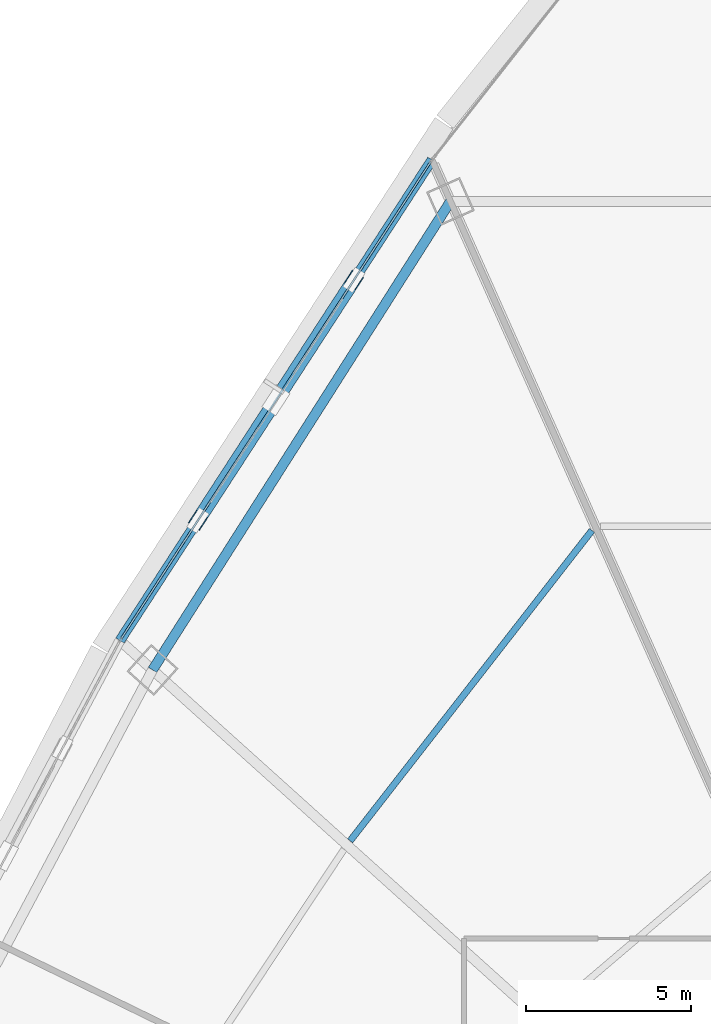
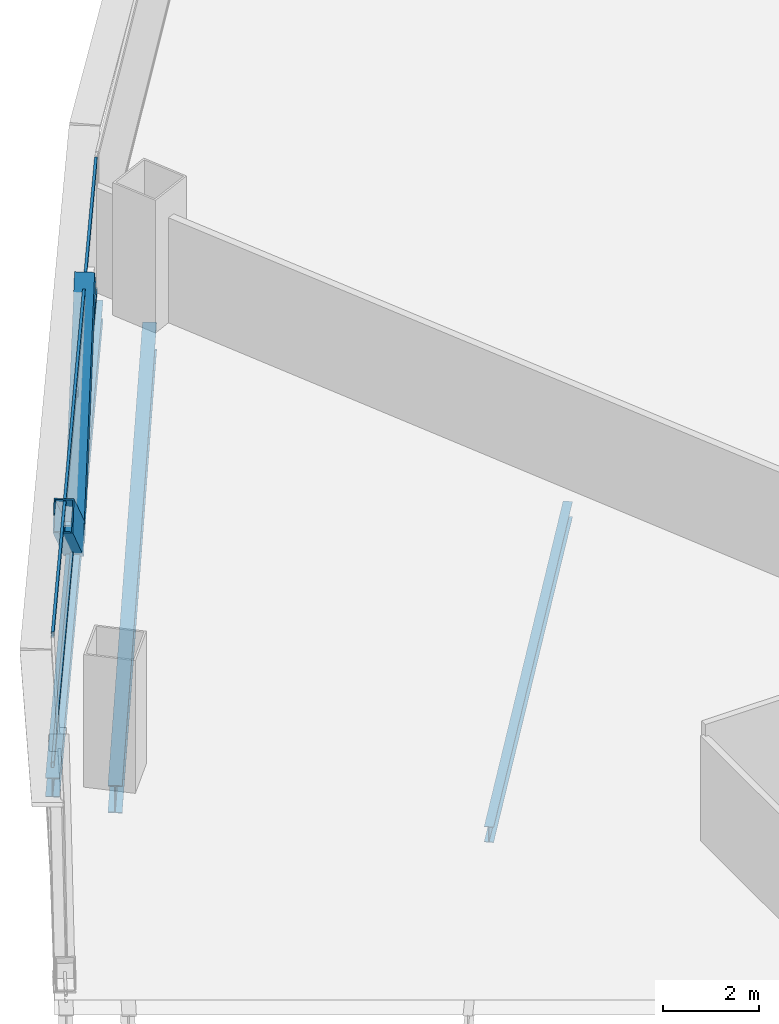
# One storey, part 17 of 37: 4 members, 3 beams, 1 element without a shape of its own.
"""IFC4 building model written with IfcOpenShell, lengths in metres."""

from ifc_helpers import new_model, si_unit, direction, frame, origin, origin_2d, place, context, subcontext, project, spatial, hollow_rectangle, i_section, extrude, source, transform, mapped, material, layer, layer_set, material_profile, profile_set, type_object, element, aggregate, save


model = new_model("IFC4")

# Units and contexts
model_context = context("Model", 3, precision=1e-05, world=origin(), true_north=direction((0.0, 1.0)))
body_context = subcontext(model_context, "Body", "Model", "MODEL_VIEW")
ifc_project = project(units=[si_unit("LENGTHUNIT", "METRE"), si_unit("AREAUNIT", "SQUARE_METRE"), si_unit("VOLUMEUNIT", "CUBIC_METRE"), si_unit("PLANEANGLEUNIT", "RADIAN"), si_unit("MASSUNIT", "GRAM", prefix="KILO"), si_unit("THERMODYNAMICTEMPERATUREUNIT", "KELVIN"), si_unit("POWERUNIT", "WATT")], contexts=[model_context])

# Site, building, storey
site_placement = place(None, origin())
site = spatial("IfcSite", under=ifc_project, at=site_placement, CompositionType="ELEMENT")
building_placement = place(site_placement, origin())
building = spatial("IfcBuilding", under=site, at=building_placement, Name="Yunzhuo Pagoda Commons", CompositionType="ELEMENT")
storey_placement = place(building_placement, frame((0.0, 0.0, 55.81005859375)))
storey = spatial("IfcBuildingStorey", under=building, at=storey_placement, Name="L14", CompositionType="ELEMENT", Elevation=55.81005859375)

# Beams
ifc_material_1 = material(Name="Structural steel Q355B", Category="steel")
ifc_material_profile_1 = material_profile(ifc_material_1, i_section(OverallWidth=0.300048828125, OverallDepth=0.699951171875, WebThickness=0.012939453125, FlangeThickness=0.02392578125, at=origin_2d()), Name="Structural steel Q355B")
ifc_profile_set_1 = profile_set([ifc_material_profile_1], Name="Structural steel Q355B")
beam_type_1 = type_object("IfcBeamType", Name="B-RG1 Beam HN 700x300x13x24", PredefinedType="BEAM", material=ifc_profile_set_1)
shared_shape_1 = source(origin(), body_context, "Body", "SweptSolid", [
    extrude(i_section(OverallWidth=0.300048828125, OverallDepth=0.699951171875, WebThickness=0.012939453125, FlangeThickness=0.02392578125, at=origin_2d()), origin(), (0.0, 0.0, 1.0), 16.843994140625),
])
beam_1_placement = place(storey_placement, frame((31.38916015625, 71.008544921875, -0.610107421875), z_axis=(-0.536558458992, -0.843863152462, 0.0), x_axis=(0.843863152462, -0.536558458992, 0.0)))
element("IfcBeam", 1, at=beam_1_placement, inside=storey, type_object=beam_type_1, Name="L14 column-ring beam 9", PredefinedType="BEAM", context=body_context, shape_type="MappedRepresentation", body=[
    mapped(shared_shape_1, transform((0.0, 0.0, 0.0), scale=1.0)),
])
ifc_material_profile_2 = material_profile(ifc_material_1, i_section(OverallWidth=0.199951171875, OverallDepth=0.39990234375, WebThickness=0.008056640625, FlangeThickness=0.012939453125, at=origin_2d()), Name="Structural steel Q355B")
ifc_profile_set_2 = profile_set([ifc_material_profile_2], Name="Structural steel Q355B")
beam_type_2 = type_object("IfcBeamType", Name="B-JS1 Joist HN 400x200x8x13", PredefinedType="JOIST", material=ifc_profile_set_2)
shared_shape_2 = source(origin(), body_context, "Body", "SweptSolid", [
    extrude(i_section(OverallWidth=0.199951171875, OverallDepth=0.39990234375, WebThickness=0.008056640625, FlangeThickness=0.012939453125, at=origin_2d()), origin(), (0.0, 0.0, 1.0), 11.934326171875),
])
beam_2_placement = place(storey_placement, frame((35.680908203125, 61.0244140625, -0.4599609375), z_axis=(-0.614546587023, -0.788880531119, 0.0), x_axis=(0.788880531119, -0.614546587023, 0.0)))
element("IfcBeam", 2, at=beam_2_placement, inside=storey, type_object=beam_type_2, Name="L14 composite ring joist 2.9", PredefinedType="JOIST", context=body_context, shape_type="MappedRepresentation", body=[
    mapped(shared_shape_2, transform((0.0, 0.0, 0.0), scale=1.0)),
])
ifc_material_profile_3 = material_profile(ifc_material_1, i_section(OverallWidth=0.300048828125, OverallDepth=0.488037109375, WebThickness=0.010986328125, FlangeThickness=0.01806640625, at=origin_2d()), Name="Structural steel Q355B")
ifc_profile_set_3 = profile_set([ifc_material_profile_3], Name="Structural steel Q355B")
beam_type_3 = type_object("IfcBeamType", Name="B-SP1 Beam HM 488x300x11x18", PredefinedType="BEAM", material=ifc_profile_set_3)
shared_shape_3 = source(origin(), body_context, "Body", "SweptSolid", [
    extrude(i_section(OverallWidth=0.300048828125, OverallDepth=0.488037109375, WebThickness=0.010986328125, FlangeThickness=0.01806640625, at=origin_2d()), origin(), (0.0, 0.0, 1.0), 17.38671875),
])
beam_3_placement = place(storey_placement, frame((30.828369140625, 72.2685546875, -0.504150390625), z_axis=(-0.544473954906, -0.838777749126, 0.0), x_axis=(0.838777749126, -0.544473954906, 0.0)))
element("IfcBeam", 3, at=beam_3_placement, inside=storey, type_object=beam_type_3, Name="L14 facade edge spandrel beam F3.1", PredefinedType="BEAM", context=body_context, shape_type="MappedRepresentation", body=[
    mapped(shared_shape_3, transform((0.0, 0.0, 0.0), scale=1.0)),
])

# Members
ifc_material_2 = material(Name="Structural steel Q420B", Category="steel")
ifc_material_profile_4 = material_profile(ifc_material_2, hollow_rectangle(XDim=0.419921875, YDim=0.719970703125, WallThickness=0.028076171875, at=origin_2d()), Name="Structural steel Q420B")
ifc_profile_set_4 = profile_set([ifc_material_profile_4], Name="Structural steel Q420B")
member_type_1 = type_object("IfcMemberType", Name="M-DL1 Brace BOX 720x420x28", PredefinedType="BRACE", material=ifc_profile_set_4)
shared_shape_4 = source(origin(), body_context, "Body", "SweptSolid", [
    extrude(hollow_rectangle(XDim=0.419921875, YDim=0.719970703125, WallThickness=0.028076171875, at=origin_2d()), origin(), (0.0, 0.0, 1.0), 5.662841796875),
])
for number, where, z_axis, x_axis, name in (
    (4, (26.09521484375, 64.976806640625, -0.260009765625), (0.417892510557, 0.643803658326, 0.641001325386), (-0.838788662452, 0.544457142245, 0.0), "L14 facade diamond brace F3.1L"),
    (5, (26.09521484375, 64.976806640625, -0.260009765625), (-0.41792809344, -0.643792058938, 0.640989776488), (0.838763010276, -0.544496659855, 0.0), "L14 facade diamond brace F3.1R"),
):
    element("IfcMember", number, at=place(storey_placement, frame(where, z_axis=z_axis, x_axis=x_axis)), inside=storey, type_object=member_type_1, Name=name, PredefinedType="BRACE", context=body_context, shape_type="MappedRepresentation", body=[
        mapped(shared_shape_4, transform((0.0, 0.0, 0.0), scale=1.0)),
    ])

# Curtain wall, members
ifc_material_3 = material(Name="Anodized aluminium 6063-T6", Category="aluminium")
ifc_layer = layer(ifc_material_3, 0.1650390625)
ifc_layer_set = layer_set([ifc_layer], Name="Anodized aluminium 6063-T6")
curtain_wall_type = type_object("IfcCurtainWallType", Name="CW-LOW Low-Zone Ribbon Curtain Wall", PredefinedType="NOTDEFINED", material=ifc_layer_set)
curtain_wall_placement = place(storey_placement, origin())
curtain_wall = element("IfcCurtainWall", 6, at=curtain_wall_placement, inside=storey, type_object=curtain_wall_type, Name="L14 curtain wall CW-L14-F3B2", PredefinedType="NOTDEFINED")
ifc_material_profile_5 = material_profile(ifc_material_3, hollow_rectangle(XDim=0.06005859375, YDim=0.139892578125, WallThickness=0.00341796875, at=origin_2d()), Name="Anodized aluminium 6063-T6")
ifc_profile_set_5 = profile_set([ifc_material_profile_5], Name="Anodized aluminium 6063-T6")
member_type_2 = type_object("IfcMemberType", Name="CW-LOW-T Transom RHS 140x60x3.5", PredefinedType="USERDEFINED", material=ifc_profile_set_5)
shared_shape_5 = source(origin(), body_context, "Body", "SweptSolid", [
    extrude(hollow_rectangle(XDim=0.06005859375, YDim=0.139892578125, WallThickness=0.00341796875, at=origin_2d()), origin(), (0.0, 0.0, 1.0), 17.256591796875),
])
member_1_placement = place(storey_placement, frame((30.79296875, 72.2138671875, 0.030029296875), z_axis=(-0.544475548743, -0.83877671452, 0.0), x_axis=(0.83877671452, -0.544475548743, 0.0)))
member_1 = element("IfcMember", 7, at=member_1_placement, type_object=member_type_2, Name="CW transom 1.1", ObjectType="TRANSOM", PredefinedType="USERDEFINED", context=body_context, shape_type="MappedRepresentation", body=[
    mapped(shared_shape_5, transform((0.0, 0.0, 0.0), scale=1.0)),
])
member_2_placement = place(storey_placement, frame((30.79296875, 72.2138671875, 3.33984375), z_axis=(-0.544475548743, -0.83877671452, 0.0), x_axis=(0.83877671452, -0.544475548743, 0.0)))
member_2 = element("IfcMember", 8, at=member_2_placement, type_object=member_type_2, Name="CW transom 1.2", ObjectType="TRANSOM", PredefinedType="USERDEFINED", context=body_context, shape_type="MappedRepresentation", body=[
    mapped(shared_shape_5, transform((0.0, 0.0, 0.0), scale=1.0)),
])
aggregate(curtain_wall, [member_1, member_2])

save(model, "model.ifc")
